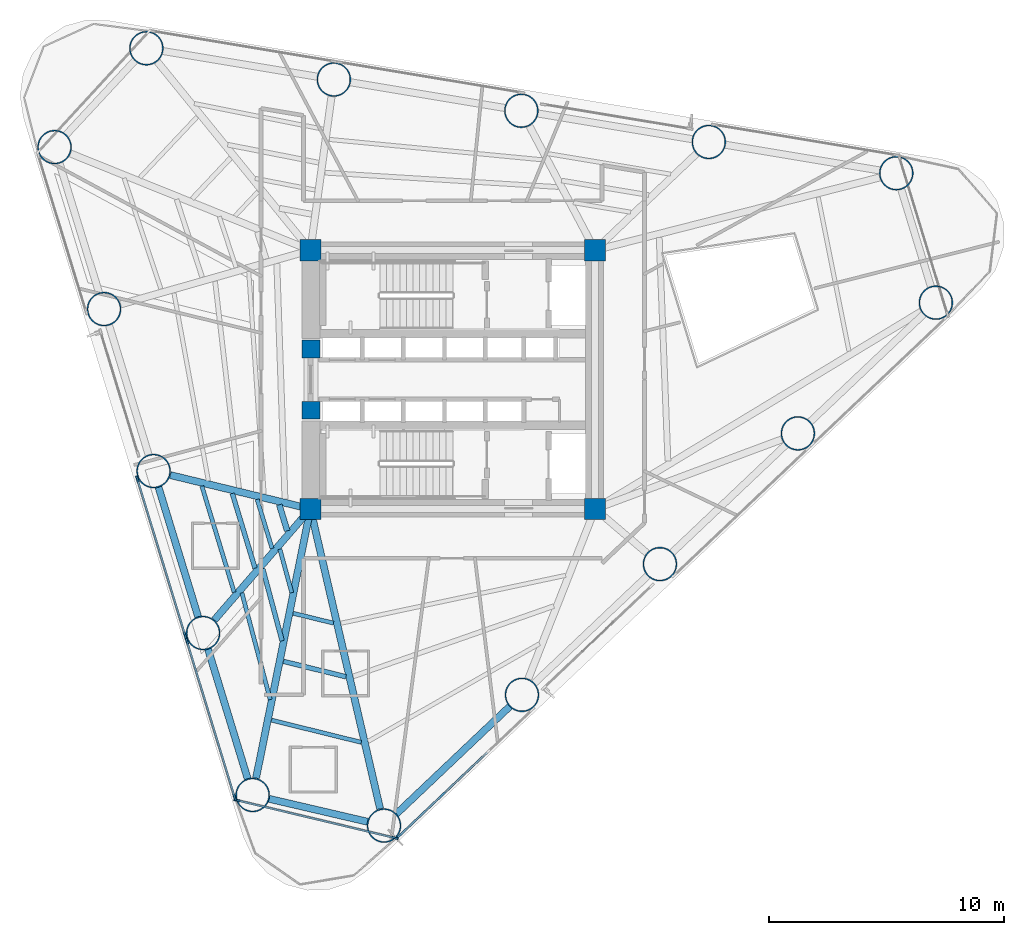
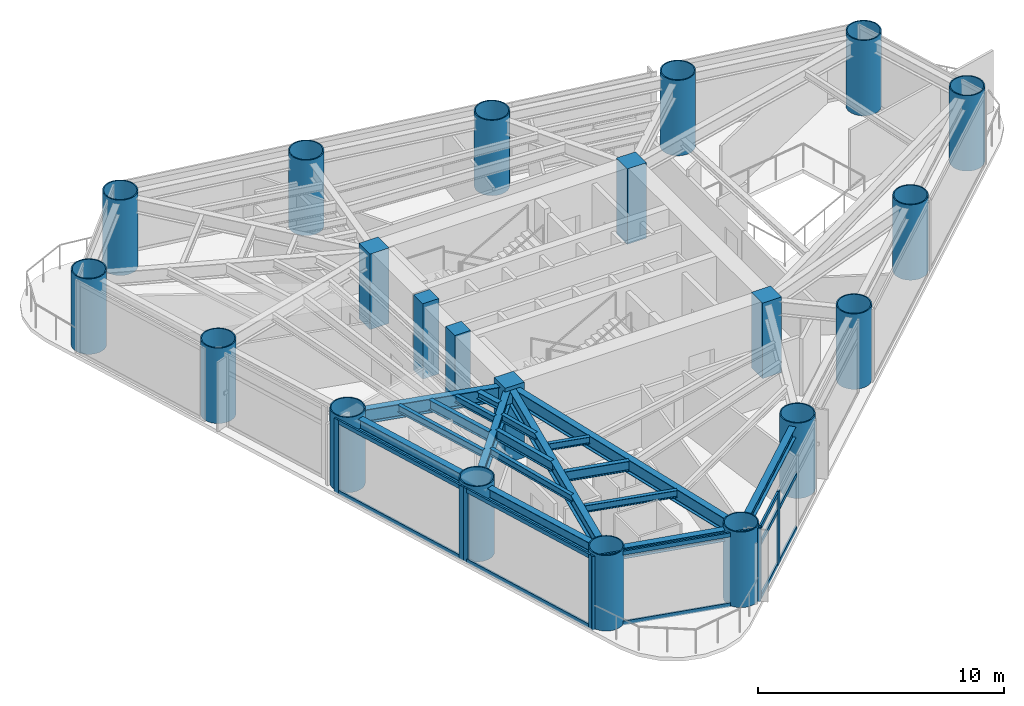
# One storey, part 1 of 10: 21 columns, 19 members, 18 beams, 4 elements without a shape of their own.
"""IFC4 building model written with IfcOpenShell, lengths in metres."""

from ifc_helpers import new_model, si_unit, direction, frame, origin, origin_2d, place, context, subcontext, project, spatial, rectangle, hollow_circle, i_section, extrude, source, transform, mapped, material, layer, layer_set, material_profile, profile_set, type_object, element, aggregate, save


model = new_model("IFC4")

# Units and contexts
model_context = context("Model", 3, precision=1e-05, world=origin(), true_north=direction((0.0, 1.0)))
body_context = subcontext(model_context, "Body", "Model", "MODEL_VIEW")
ifc_project = project(units=[si_unit("LENGTHUNIT", "METRE"), si_unit("AREAUNIT", "SQUARE_METRE"), si_unit("VOLUMEUNIT", "CUBIC_METRE"), si_unit("PLANEANGLEUNIT", "RADIAN"), si_unit("MASSUNIT", "GRAM", prefix="KILO")], contexts=[model_context])

# Site, building, storey
site_placement = place(None, origin())
site = spatial("IfcSite", under=ifc_project, at=site_placement, CompositionType="ELEMENT")
building_placement = place(site_placement, origin())
building = spatial("IfcBuilding", under=site, at=building_placement, Name="Yunling Apex Tower", CompositionType="ELEMENT")
storey_placement = place(building_placement, frame((0.0, 0.0, 112.39990234375)))
storey = spatial("IfcBuildingStorey", under=building, at=storey_placement, Name="L28", CompositionType="ELEMENT", Elevation=112.39990234375)

# Columns
ifc_material_1 = material(Name="Concrete C60", Category="concrete")
ifc_material_profile_1 = material_profile(ifc_material_1, rectangle(XDim=0.89990234375, YDim=0.89990234375, at=origin_2d()))
ifc_profile_set_1 = profile_set([ifc_material_profile_1], Name="Concrete C60")
column_type_1 = type_object("IfcColumnType", Name="PC-SRC-3", PredefinedType="COLUMN", material=ifc_profile_set_1)
shared_shape_1 = source(origin(), body_context, "Body", "SweptSolid", [
    extrude(rectangle(XDim=0.89990234375, YDim=0.89990234375, at=origin_2d()), origin(), (0.0, 0.0, 1.0), 3.75),
])
for number, where, z_axis, x_axis, name in (
    (1, (-6.050048828125, -5.5, 0.0), (0.0, 0.0, 1.0), (1.0, 0.0, 0.0), "L28 Core Spine Column CC-SW"),
    (2, (6.050048828125, -5.5, 0.0), (0.0, 0.0, 1.0), (1.0, 0.0, 0.0), "L28 Core Spine Column CC-SE"),
    (3, (6.050048828125, 5.5, 0.0), (0.0, 0.0, 1.0), (1.0, 0.0, 0.0), "L28 Core Spine Column CC-NE"),
    (4, (-6.050048828125, 5.5, 0.0), (0.0, 0.0, 1.0), (1.0, 0.0, 0.0), "L28 Core Spine Column CC-NW"),
):
    element("IfcColumn", number, at=place(storey_placement, frame(where, z_axis=z_axis, x_axis=x_axis)), inside=storey, type_object=column_type_1, Name=name, PredefinedType="COLUMN", context=body_context, shape_type="MappedRepresentation", body=[
        mapped(shared_shape_1, transform((0.0, 0.0, 0.0), scale=1.0)),
    ])
ifc_material_2 = material(Name="Concrete C50", Category="concrete")
ifc_material_profile_2 = material_profile(ifc_material_2, rectangle(XDim=0.75, YDim=0.75, at=origin_2d()))
ifc_profile_set_2 = profile_set([ifc_material_profile_2], Name="Concrete C50")
column_type_2 = type_object("IfcColumnType", Name="PC-SRC-4", PredefinedType="COLUMN", material=ifc_profile_set_2)
shared_shape_2 = source(origin(), body_context, "Body", "SweptSolid", [
    extrude(rectangle(XDim=0.75, YDim=0.75, at=origin_2d()), origin(), (0.0, 0.0, 1.0), 3.75),
])
for number, where, z_axis, x_axis, name in (
    (5, (-6.02490234375, -1.300048828125, 0.0), (0.0, 0.0, 1.0), (1.0, 0.0, 0.0), "L28 Core West Portal Jamb Column S"),
    (6, (-6.02490234375, 1.300048828125, 0.0), (0.0, 0.0, 1.0), (1.0, 0.0, 0.0), "L28 Core West Portal Jamb Column N"),
):
    element("IfcColumn", number, at=place(storey_placement, frame(where, z_axis=z_axis, x_axis=x_axis)), inside=storey, type_object=column_type_2, Name=name, PredefinedType="COLUMN", context=body_context, shape_type="MappedRepresentation", body=[
        mapped(shared_shape_2, transform((0.0, 0.0, 0.0), scale=1.0)),
    ])
ifc_material_3 = material(Name="Steel Q390GJC", Category="steel")
ifc_material_profile_3 = material_profile(ifc_material_3, hollow_circle(Radius=0.72509765625, WallThickness=0.050048828125, at=origin_2d()))
ifc_profile_set_3 = profile_set([ifc_material_profile_3], Name="Steel Q390GJC")
column_type_3 = type_object("IfcColumnType", Name="MC-CFST-2", PredefinedType="COLUMN", material=ifc_profile_set_3)
shared_shape_3 = source(origin(), body_context, "Body", "SweptSolid", [
    extrude(hollow_circle(Radius=0.72509765625, WallThickness=0.050048828125, at=origin_2d()), origin(), (0.0, 0.0, 1.0), 3.75),
])
for number, where, z_axis, x_axis, name in (
    (7, (-2.92138671875, -18.960205078125, 0.0), (0.0, 0.0, 1.0), (1.0, 0.0, 0.0), "L28 Perimeter CFST Mega-Column P01"),
    (8, (2.943359375, -13.40234375, 0.0), (0.0, 0.0, 1.0), (1.0, 0.0, 0.0), "L28 Perimeter CFST Mega-Column P02"),
    (9, (8.80810546875, -7.8447265625, 0.0), (0.0, 0.0, 1.0), (1.0, 0.0, 0.0), "L28 Perimeter CFST Mega-Column P03"),
    (10, (14.6728515625, -2.287109375, 0.0), (0.0, 0.0, 1.0), (1.0, 0.0, 0.0), "L28 Perimeter CFST Mega-Column P04"),
    (11, (20.53759765625, 3.2705078125, 0.0), (0.0, 0.0, 1.0), (1.0, 0.0, 0.0), "L28 Perimeter CFST Mega-Column P05"),
    (12, (18.855224609375, 8.77294921875, 0.0), (0.0, 0.0, 1.0), (1.0, 0.0, 0.0), "L28 Perimeter CFST Mega-Column P06"),
    (13, (10.88525390625, 10.10107421875, 0.0), (0.0, 0.0, 1.0), (1.0, 0.0, 0.0), "L28 Perimeter CFST Mega-Column P07"),
    (14, (2.915283203125, 11.428955078125, 0.0), (0.0, 0.0, 1.0), (1.0, 0.0, 0.0), "L28 Perimeter CFST Mega-Column P08"),
    (15, (-5.054443359375, 12.757080078125, 0.0), (0.0, 0.0, 1.0), (1.0, 0.0, 0.0), "L28 Perimeter CFST Mega-Column P09"),
    (16, (-13.0244140625, 14.0849609375, 0.0), (0.0, 0.0, 1.0), (1.0, 0.0, 0.0), "L28 Perimeter CFST Mega-Column P10"),
    (17, (-16.927490234375, 9.88330078125, 0.0), (0.0, 0.0, 1.0), (1.0, 0.0, 0.0), "L28 Perimeter CFST Mega-Column P11"),
    (18, (-14.822509765625, 2.99755859375, 0.0), (0.0, 0.0, 1.0), (1.0, 0.0, 0.0), "L28 Perimeter CFST Mega-Column P12"),
    (19, (-12.71728515625, -3.887939453125, 0.0), (0.0, 0.0, 1.0), (1.0, 0.0, 0.0), "L28 Perimeter CFST Mega-Column P13"),
    (20, (-10.612060546875, -10.773681640625, 0.0), (0.0, 0.0, 1.0), (1.0, 0.0, 0.0), "L28 Perimeter CFST Mega-Column P14"),
    (21, (-8.5068359375, -17.6591796875, 0.0), (0.0, 0.0, 1.0), (1.0, 0.0, 0.0), "L28 Perimeter CFST Mega-Column P15"),
):
    element("IfcColumn", number, at=place(storey_placement, frame(where, z_axis=z_axis, x_axis=x_axis)), inside=storey, type_object=column_type_3, Name=name, PredefinedType="COLUMN", context=body_context, shape_type="MappedRepresentation", body=[
        mapped(shared_shape_3, transform((0.0, 0.0, 0.0), scale=1.0)),
    ])

# Beams
ifc_material_4 = material(Name="Steel Q355B", Category="steel")
ifc_material_profile_4 = material_profile(ifc_material_4, i_section(OverallWidth=0.300048828125, OverallDepth=0.5400390625, WebThickness=0.011962890625, FlangeThickness=0.02001953125, FilletRadius=0.02392578125, at=origin_2d()))
ifc_profile_set_4 = profile_set([ifc_material_profile_4], Name="Steel Q355B")
beam_type_1 = type_object("IfcBeamType", Name="BP-SPN-1", PredefinedType="SPANDREL", material=ifc_profile_set_4)
shared_shape_4 = source(origin(), body_context, "Body", "SweptSolid", [
    extrude(i_section(OverallWidth=0.300048828125, OverallDepth=0.5400390625, WebThickness=0.011962890625, FlangeThickness=0.02001953125, FilletRadius=0.02392578125, at=origin_2d()), origin(), (0.0, 0.0, 1.0), 6.6416015625),
])
beam_1_placement = place(storey_placement, frame((-2.3994140625, -18.465576171875, 3.295166015625), z_axis=(0.725837728974, 0.68786596892, 0.0), x_axis=(-0.68786596892, 0.725837728974, 0.0)))
element("IfcBeam", 22, at=beam_1_placement, inside=storey, type_object=beam_type_1, Name="L28 Perimeter Spandrel Beam 1", PredefinedType="SPANDREL", context=body_context, shape_type="MappedRepresentation", body=[
    mapped(shared_shape_4, transform((0.0, 0.0, 0.0), scale=1.0)),
])
shared_shape_5 = source(origin(), body_context, "Body", "SweptSolid", [
    extrude(i_section(OverallWidth=0.300048828125, OverallDepth=0.5400390625, WebThickness=0.011962890625, FlangeThickness=0.02001953125, FilletRadius=0.02392578125, at=origin_2d()), origin(), (0.0, 0.0, 1.0), 5.76220703125),
])
for number, where, z_axis, x_axis, name in (
    (23, (-12.507080078125, -4.57568359375, 3.295166015625), (0.292385374143, -0.956300576695, 0.0), (0.956300576695, 0.292385374143, 0.0), "L28 Perimeter Spandrel Beam 13"),
    (24, (-10.40185546875, -11.461181640625, 3.295166015625), (0.292385374143, -0.956300576695, 0.0), (0.956300576695, 0.292385374143, 0.0), "L28 Perimeter Spandrel Beam 14"),
):
    element("IfcBeam", number, at=place(storey_placement, frame(where, z_axis=z_axis, x_axis=x_axis)), inside=storey, type_object=beam_type_1, Name=name, PredefinedType="SPANDREL", context=body_context, shape_type="MappedRepresentation", body=[
        mapped(shared_shape_5, transform((0.0, 0.0, 0.0), scale=1.0)),
    ])
shared_shape_6 = source(origin(), body_context, "Body", "SweptSolid", [
    extrude(i_section(OverallWidth=0.300048828125, OverallDepth=0.5400390625, WebThickness=0.011962890625, FlangeThickness=0.02001953125, FilletRadius=0.02392578125, at=origin_2d()), origin(), (0.0, 0.0, 1.0), 4.297119140625),
])
beam_2_placement = place(storey_placement, frame((-7.806640625, -17.822509765625, 3.295166015625), z_axis=(0.973939184954, -0.226809312002, 0.0), x_axis=(0.226809312002, 0.973939184954, 0.0)))
element("IfcBeam", 25, at=beam_2_placement, inside=storey, type_object=beam_type_1, Name="L28 Perimeter Spandrel Beam 15", PredefinedType="SPANDREL", context=body_context, shape_type="MappedRepresentation", body=[
    mapped(shared_shape_6, transform((0.0, 0.0, 0.0), scale=1.0)),
])
ifc_material_profile_5 = material_profile(ifc_material_4, i_section(OverallWidth=0.300048828125, OverallDepth=0.699951171875, WebThickness=0.012939453125, FlangeThickness=0.02392578125, FilletRadius=0.02587890625, at=origin_2d()))
ifc_profile_set_5 = profile_set([ifc_material_profile_5], Name="Steel Q355B")
beam_type_2 = type_object("IfcBeamType", Name="BG-PRI-3", PredefinedType="USERDEFINED", material=ifc_profile_set_5)
shared_shape_7 = source(origin(), body_context, "Body", "SweptSolid", [
    extrude(i_section(OverallWidth=0.300048828125, OverallDepth=0.699951171875, WebThickness=0.012939453125, FlangeThickness=0.02392578125, FilletRadius=0.02587890625, at=origin_2d()), origin(), (0.0, 0.0, 1.0), 13.005859375),
])
beam_3_placement = place(storey_placement, frame((-3.08740234375, -18.24609375, 3.215087890625), z_axis=(-0.226402915749, 0.974033736449, 0.0), x_axis=(-0.974033736449, -0.226402915749, 0.0)))
element("IfcBeam", 26, at=beam_3_placement, inside=storey, type_object=beam_type_2, Name="L28 Radial Primary Girder R01", ObjectType="GIRDER", PredefinedType="USERDEFINED", context=body_context, shape_type="MappedRepresentation", body=[
    mapped(shared_shape_7, transform((0.0, 0.0, 0.0), scale=1.0)),
])
shared_shape_8 = source(origin(), body_context, "Body", "SweptSolid", [
    extrude(i_section(OverallWidth=0.300048828125, OverallDepth=0.699951171875, WebThickness=0.012939453125, FlangeThickness=0.02392578125, FilletRadius=0.02587890625, at=origin_2d()), origin(), (0.0, 0.0, 1.0), 6.046630859375),
])
beam_4_placement = place(storey_placement, frame((-12.0048828125, -4.060302734375, 3.215087890625), z_axis=(0.971996717199, -0.234994429199, 0.0), x_axis=(0.234994429199, 0.971996717199, 0.0)))
element("IfcBeam", 27, at=beam_4_placement, inside=storey, type_object=beam_type_2, Name="L28 Radial Primary Girder R13", ObjectType="GIRDER", PredefinedType="USERDEFINED", context=body_context, shape_type="MappedRepresentation", body=[
    mapped(shared_shape_8, transform((0.0, 0.0, 0.0), scale=1.0)),
])
shared_shape_9 = source(origin(), body_context, "Body", "SweptSolid", [
    extrude(i_section(OverallWidth=0.300048828125, OverallDepth=0.699951171875, WebThickness=0.012939453125, FlangeThickness=0.02392578125, FilletRadius=0.02587890625, at=origin_2d()), origin(), (0.0, 0.0, 1.0), 6.16015625),
])
beam_5_placement = place(storey_placement, frame((-10.132568359375, -10.21923828125, 3.215087890625), z_axis=(0.654257326822, 0.756272008142, 0.0), x_axis=(-0.756272008142, 0.654257326822, 0.0)))
element("IfcBeam", 28, at=beam_5_placement, inside=storey, type_object=beam_type_2, Name="L28 Radial Primary Girder R14", ObjectType="GIRDER", PredefinedType="USERDEFINED", context=body_context, shape_type="MappedRepresentation", body=[
    mapped(shared_shape_9, transform((0.0, 0.0, 0.0), scale=1.0)),
])
shared_shape_10 = source(origin(), body_context, "Body", "SweptSolid", [
    extrude(i_section(OverallWidth=0.300048828125, OverallDepth=0.699951171875, WebThickness=0.012939453125, FlangeThickness=0.02392578125, FilletRadius=0.02587890625, at=origin_2d()), origin(), (0.0, 0.0, 1.0), 11.59228515625),
])
beam_6_placement = place(storey_placement, frame((-8.36181640625, -16.94091796875, 3.215087890625), z_axis=(0.198055775124, 0.980190751813, 0.0), x_axis=(-0.980190751813, 0.198055775124, 0.0)))
element("IfcBeam", 29, at=beam_6_placement, inside=storey, type_object=beam_type_2, Name="L28 Radial Primary Girder R15", ObjectType="GIRDER", PredefinedType="USERDEFINED", context=body_context, shape_type="MappedRepresentation", body=[
    mapped(shared_shape_10, transform((0.0, 0.0, 0.0), scale=1.0)),
])
ifc_material_profile_6 = material_profile(ifc_material_4, i_section(OverallWidth=0.199951171875, OverallDepth=0.5, WebThickness=0.010009765625, FlangeThickness=0.01611328125, FilletRadius=0.02001953125, at=origin_2d()))
ifc_profile_set_6 = profile_set([ifc_material_profile_6], Name="Steel Q355B")
beam_type_3 = type_object("IfcBeamType", Name="BS-SEC-2", PredefinedType="BEAM", material=ifc_profile_set_6)
shared_shape_11 = source(origin(), body_context, "Body", "SweptSolid", [
    extrude(i_section(OverallWidth=0.199951171875, OverallDepth=0.5, WebThickness=0.010009765625, FlangeThickness=0.01611328125, FilletRadius=0.02001953125, at=origin_2d()), origin(), (0.0, 0.0, 1.0), 3.321533203125),
])
beam_7_placement = place(storey_placement, frame((-9.372314453125, -4.838623046875, 3.315185546875), z_axis=(0.291000743066, -0.956722826912, 0.0), x_axis=(0.956722826912, 0.291000743066, 0.0)))
element("IfcBeam", 30, at=beam_7_placement, inside=storey, type_object=beam_type_3, Name="L28 Composite Floor Beam BS-13", PredefinedType="BEAM", context=body_context, shape_type="MappedRepresentation", body=[
    mapped(shared_shape_11, transform((0.0, 0.0, 0.0), scale=1.0)),
])
ifc_material_profile_7 = material_profile(ifc_material_4, i_section(OverallWidth=0.175048828125, OverallDepth=0.35009765625, WebThickness=0.007080078125, FlangeThickness=0.010986328125, FilletRadius=0.013916015625, at=origin_2d()))
ifc_profile_set_7 = profile_set([ifc_material_profile_7], Name="Steel Q355B")
beam_type_4 = type_object("IfcBeamType", Name="BJ-JST-1", PredefinedType="JOIST", material=ifc_profile_set_7)
shared_shape_12 = source(origin(), body_context, "Body", "SweptSolid", [
    extrude(i_section(OverallWidth=0.175048828125, OverallDepth=0.35009765625, WebThickness=0.007080078125, FlangeThickness=0.010986328125, FilletRadius=0.013916015625, at=origin_2d()), origin(), (0.0, 0.0, 1.0), 4.719482421875),
])
beam_8_placement = place(storey_placement, frame((-10.665283203125, -4.52587890625, 3.39013671875), z_axis=(0.290881649014, -0.95675904295, 0.0), x_axis=(0.95675904295, 0.290881649014, 0.0)))
element("IfcBeam", 31, at=beam_8_placement, inside=storey, type_object=beam_type_4, Name="L28 Composite Floor Joist BJ1-13", PredefinedType="JOIST", context=body_context, shape_type="MappedRepresentation", body=[
    mapped(shared_shape_12, transform((0.0, 0.0, 0.0), scale=1.0)),
])
shared_shape_13 = source(origin(), body_context, "Body", "SweptSolid", [
    extrude(i_section(OverallWidth=0.175048828125, OverallDepth=0.35009765625, WebThickness=0.007080078125, FlangeThickness=0.010986328125, FilletRadius=0.013916015625, at=origin_2d()), origin(), (0.0, 0.0, 1.0), 2.177734375),
])
beam_9_placement = place(storey_placement, frame((-8.314453125, -5.09423828125, 3.39013671875), z_axis=(0.291130389824, -0.956683383425, 0.0), x_axis=(0.956683383425, 0.291130389824, 0.0)))
element("IfcBeam", 32, at=beam_9_placement, inside=storey, type_object=beam_type_4, Name="L28 Composite Floor Joist BJ3-13", PredefinedType="JOIST", context=body_context, shape_type="MappedRepresentation", body=[
    mapped(shared_shape_13, transform((0.0, 0.0, 0.0), scale=1.0)),
])
ifc_material_profile_8 = material_profile(ifc_material_4, i_section(OverallWidth=0.25, OverallDepth=0.340087890625, WebThickness=0.009033203125, FlangeThickness=0.013916015625, FilletRadius=0.01806640625, at=origin_2d()))
ifc_profile_set_8 = profile_set([ifc_material_profile_8], Name="Steel Q355B")
beam_type_5 = type_object("IfcBeamType", Name="BJ-JST-2", PredefinedType="JOIST", material=ifc_profile_set_8)
shared_shape_14 = source(origin(), body_context, "Body", "SweptSolid", [
    extrude(i_section(OverallWidth=0.25, OverallDepth=0.340087890625, WebThickness=0.009033203125, FlangeThickness=0.013916015625, FilletRadius=0.01806640625, at=origin_2d()), origin(), (0.0, 0.0, 1.0), 1.160888671875),
])
beam_10_placement = place(storey_placement, frame((-7.3740234375, -5.32177734375, 3.39501953125), z_axis=(0.291454472577, -0.956584701119, 0.0), x_axis=(0.956584701119, 0.291454472577, 0.0)))
element("IfcBeam", 33, at=beam_10_placement, inside=storey, type_object=beam_type_5, Name="L28 Composite Floor Joist BJ2-13", PredefinedType="JOIST", context=body_context, shape_type="MappedRepresentation", body=[
    mapped(shared_shape_14, transform((0.0, 0.0, 0.0), scale=1.0)),
])
shared_shape_15 = source(origin(), body_context, "Body", "SweptSolid", [
    extrude(i_section(OverallWidth=0.199951171875, OverallDepth=0.5, WebThickness=0.010009765625, FlangeThickness=0.01611328125, FilletRadius=0.02001953125, at=origin_2d()), origin(), (0.0, 0.0, 1.0), 3.168701171875),
])
beam_11_placement = place(storey_placement, frame((-8.075927734375, -8.04443359375, 3.315185546875), z_axis=(0.259033901524, -0.965868230071, 0.0), x_axis=(0.965868230071, 0.259033901524, 0.0)))
element("IfcBeam", 34, at=beam_11_placement, inside=storey, type_object=beam_type_3, Name="L28 Composite Floor Beam BS-14", PredefinedType="BEAM", context=body_context, shape_type="MappedRepresentation", body=[
    mapped(shared_shape_15, transform((0.0, 0.0, 0.0), scale=1.0)),
])
shared_shape_16 = source(origin(), body_context, "Body", "SweptSolid", [
    extrude(i_section(OverallWidth=0.175048828125, OverallDepth=0.35009765625, WebThickness=0.007080078125, FlangeThickness=0.010986328125, FilletRadius=0.013916015625, at=origin_2d()), origin(), (0.0, 0.0, 1.0), 4.69189453125),
])
beam_12_placement = place(storey_placement, frame((-8.962890625, -9.069580078125, 3.39013671875), z_axis=(0.256370213066, -0.966578664079, 0.0), x_axis=(0.966578664079, 0.256370213066, 0.0)))
element("IfcBeam", 35, at=beam_12_placement, inside=storey, type_object=beam_type_4, Name="L28 Composite Floor Joist BJ1-14", PredefinedType="JOIST", context=body_context, shape_type="MappedRepresentation", body=[
    mapped(shared_shape_16, transform((0.0, 0.0, 0.0), scale=1.0)),
])
shared_shape_17 = source(origin(), body_context, "Body", "SweptSolid", [
    extrude(i_section(OverallWidth=0.175048828125, OverallDepth=0.35009765625, WebThickness=0.007080078125, FlangeThickness=0.010986328125, FilletRadius=0.013916015625, at=origin_2d()), origin(), (0.0, 0.0, 1.0), 1.92236328125),
])
beam_13_placement = place(storey_placement, frame((-7.349853515625, -7.205810546875, 3.39013671875), z_axis=(0.263783616245, -0.964581880299, 0.0), x_axis=(0.964581880299, 0.263783616245, 0.0)))
element("IfcBeam", 36, at=beam_13_placement, inside=storey, type_object=beam_type_4, Name="L28 Composite Floor Joist BJ3-14", PredefinedType="JOIST", context=body_context, shape_type="MappedRepresentation", body=[
    mapped(shared_shape_17, transform((0.0, 0.0, 0.0), scale=1.0)),
])
shared_shape_18 = source(origin(), body_context, "Body", "SweptSolid", [
    extrude(i_section(OverallWidth=0.199951171875, OverallDepth=0.5, WebThickness=0.010009765625, FlangeThickness=0.01611328125, FilletRadius=0.02001953125, at=origin_2d()), origin(), (0.0, 0.0, 1.0), 2.737060546875),
])
beam_14_placement = place(storey_placement, frame((-7.196044921875, -11.9794921875, 3.315185546875), z_axis=(0.971007234619, -0.239050100016, 0.0), x_axis=(0.239050100016, 0.971007234619, 0.0)))
element("IfcBeam", 37, at=beam_14_placement, inside=storey, type_object=beam_type_3, Name="L28 Composite Floor Beam BS-15", PredefinedType="BEAM", context=body_context, shape_type="MappedRepresentation", body=[
    mapped(shared_shape_18, transform((0.0, 0.0, 0.0), scale=1.0)),
])
shared_shape_19 = source(origin(), body_context, "Body", "SweptSolid", [
    extrude(i_section(OverallWidth=0.175048828125, OverallDepth=0.35009765625, WebThickness=0.007080078125, FlangeThickness=0.010986328125, FilletRadius=0.013916015625, at=origin_2d()), origin(), (0.0, 0.0, 1.0), 3.925537109375),
])
beam_15_placement = place(storey_placement, frame((-7.701416015625, -14.4794921875, 3.39013671875), z_axis=(0.970833614746, -0.239754233494, 0.0), x_axis=(0.239754233494, 0.970833614746, 0.0)))
element("IfcBeam", 38, at=beam_15_placement, inside=storey, type_object=beam_type_4, Name="L28 Composite Floor Joist BJ1-15", PredefinedType="JOIST", context=body_context, shape_type="MappedRepresentation", body=[
    mapped(shared_shape_19, transform((0.0, 0.0, 0.0), scale=1.0)),
])
shared_shape_20 = source(origin(), body_context, "Body", "SweptSolid", [
    extrude(i_section(OverallWidth=0.175048828125, OverallDepth=0.35009765625, WebThickness=0.007080078125, FlangeThickness=0.010986328125, FilletRadius=0.013916015625, at=origin_2d()), origin(), (0.0, 0.0, 1.0), 1.764892578125),
])
beam_16_placement = place(storey_placement, frame((-6.78271484375, -9.93408203125, 3.39013671875), z_axis=(0.971318830932, -0.237780841694, 0.0), x_axis=(0.237780841694, 0.971318830932, 0.0)))
element("IfcBeam", 39, at=beam_16_placement, inside=storey, type_object=beam_type_4, Name="L28 Composite Floor Joist BJ3-15", PredefinedType="JOIST", context=body_context, shape_type="MappedRepresentation", body=[
    mapped(shared_shape_20, transform((0.0, 0.0, 0.0), scale=1.0)),
])

# Curtain wall, members
ifc_material_5 = material(Name="Bronze anodised aluminium", Category="aluminium")
ifc_layer = layer(ifc_material_5, 0.260009765625)
ifc_layer_set = layer_set([ifc_layer], Name="Bronze anodised aluminium")
curtain_wall_type = type_object("IfcCurtainWallType", Name="CW-SYS-2", PredefinedType="NOTDEFINED", material=ifc_layer_set)
curtain_wall_1_placement = place(storey_placement, origin())
curtain_wall_1 = element("IfcCurtainWall", 40, at=curtain_wall_1_placement, inside=storey, type_object=curtain_wall_type, Name="CW-L28-F1-B1", PredefinedType="NOTDEFINED")
ifc_material_profile_9 = material_profile(ifc_material_5, rectangle(XDim=0.0849609375, YDim=0.260009765625, at=origin_2d()))
ifc_profile_set_9 = profile_set([ifc_material_profile_9], Name="Bronze anodised aluminium")
member_type_1 = type_object("IfcMemberType", Name="CW-MUL-2", PredefinedType="MULLION", material=ifc_profile_set_9)
shared_shape_21 = source(origin(), body_context, "Body", "SweptSolid", [
    extrude(rectangle(XDim=0.0849609375, YDim=0.260009765625, at=origin_2d()), origin(), (0.0, 0.0, 1.0), 3.664794921875),
])
member_1_placement = place(storey_placement, frame((-2.3095703125, -19.427490234375, -0.0498046875), z_axis=(0.0, 0.0, 1.0), x_axis=(-0.687861264918, 0.72584218686, 0.0)))
member_1 = element("IfcMember", 41, at=member_1_placement, type_object=member_type_1, Name="CW-SYS-2 mullion 1", PredefinedType="MULLION", context=body_context, shape_type="MappedRepresentation", body=[
    mapped(shared_shape_21, transform((0.0, 0.0, 0.0), scale=1.0)),
])
member_2_placement = place(storey_placement, frame((-0.42431640625, -17.640869140625, -0.0498046875), z_axis=(0.0, 0.0, 1.0), x_axis=(-0.687861264918, 0.72584218686, 0.0)))
member_2 = element("IfcMember", 42, at=member_2_placement, type_object=member_type_1, Name="CW-SYS-2 mullion 2", PredefinedType="MULLION", context=body_context, shape_type="MappedRepresentation", body=[
    mapped(shared_shape_21, transform((0.0, 0.0, 0.0), scale=1.0)),
])

curtain_wall_2_placement = place(storey_placement, origin())
curtain_wall_2 = element("IfcCurtainWall", 43, at=curtain_wall_2_placement, inside=storey, type_object=curtain_wall_type, Name="CW-L28-F3-B3", PredefinedType="NOTDEFINED")
member_3_placement = place(storey_placement, frame((-13.408203125, -4.227294921875, -0.0498046875), z_axis=(0.0, 0.0, 1.0), x_axis=(0.956304476342, 0.292372619321, 0.0)))
member_3 = element("IfcMember", 44, at=member_3_placement, type_object=member_type_1, Name="CW-SYS-2 mullion 1", PredefinedType="MULLION", context=body_context, shape_type="MappedRepresentation", body=[
    mapped(shared_shape_21, transform((0.0, 0.0, 0.0), scale=1.0)),
])
member_4_placement = place(storey_placement, frame((-11.374755859375, -10.878662109375, -0.0498046875), z_axis=(0.0, 0.0, 1.0), x_axis=(0.956304476342, 0.292372619321, 0.0)))
member_4 = element("IfcMember", 45, at=member_4_placement, type_object=member_type_1, Name="CW-SYS-2 mullion 2", PredefinedType="MULLION", context=body_context, shape_type="MappedRepresentation", body=[
    mapped(shared_shape_21, transform((0.0, 0.0, 0.0), scale=1.0)),
])

curtain_wall_3_placement = place(storey_placement, origin())
curtain_wall_3 = element("IfcCurtainWall", 46, at=curtain_wall_3_placement, inside=storey, type_object=curtain_wall_type, Name="CW-L28-F3-B4", PredefinedType="NOTDEFINED")
member_5_placement = place(storey_placement, frame((-11.302978515625, -11.113037109375, -0.0498046875), z_axis=(0.0, 0.0, 1.0), x_axis=(0.956304476342, 0.292372619321, 0.0)))
member_5 = element("IfcMember", 47, at=member_5_placement, type_object=member_type_1, Name="CW-SYS-2 mullion 1", PredefinedType="MULLION", context=body_context, shape_type="MappedRepresentation", body=[
    mapped(shared_shape_21, transform((0.0, 0.0, 0.0), scale=1.0)),
])
member_6_placement = place(storey_placement, frame((-9.26953125, -17.764404296875, -0.0498046875), z_axis=(0.0, 0.0, 1.0), x_axis=(0.956304476342, 0.292372619321, 0.0)))
member_6 = element("IfcMember", 48, at=member_6_placement, type_object=member_type_1, Name="CW-SYS-2 mullion 2", PredefinedType="MULLION", context=body_context, shape_type="MappedRepresentation", body=[
    mapped(shared_shape_21, transform((0.0, 0.0, 0.0), scale=1.0)),
])

curtain_wall_4_placement = place(storey_placement, origin())
curtain_wall_4 = element("IfcCurtainWall", 49, at=curtain_wall_4_placement, inside=storey, type_object=curtain_wall_type, Name="CW-L28-CRN3", PredefinedType="NOTDEFINED")
member_7_placement = place(storey_placement, frame((-9.17333984375, -17.885498046875, -0.0498046875), z_axis=(0.0, 0.0, 1.0), x_axis=(0.23189504865, 0.972740811528, 0.0)))
member_7 = element("IfcMember", 50, at=member_7_placement, type_object=member_type_1, Name="CW-SYS-2 mullion 1", PredefinedType="MULLION", context=body_context, shape_type="MappedRepresentation", body=[
    mapped(shared_shape_21, transform((0.0, 0.0, 0.0), scale=1.0)),
])
member_8_placement = place(storey_placement, frame((-2.453857421875, -19.487548828125, -0.0498046875), z_axis=(0.0, 0.0, 1.0), x_axis=(0.23189504865, 0.972740811528, 0.0)))
member_8 = element("IfcMember", 51, at=member_8_placement, type_object=member_type_1, Name="CW-SYS-2 mullion 2", PredefinedType="MULLION", context=body_context, shape_type="MappedRepresentation", body=[
    mapped(shared_shape_21, transform((0.0, 0.0, 0.0), scale=1.0)),
])

# Member
ifc_material_profile_10 = material_profile(ifc_material_5, rectangle(XDim=0.0849609375, YDim=0.199951171875, at=origin_2d()))
ifc_profile_set_10 = profile_set([ifc_material_profile_10], Name="Bronze anodised aluminium")
member_type_2 = type_object("IfcMemberType", Name="CW-TRN-2", PredefinedType="USERDEFINED", material=ifc_profile_set_10)
shared_shape_22 = source(origin(), body_context, "Body", "SweptSolid", [
    extrude(rectangle(XDim=0.0849609375, YDim=0.199951171875, at=origin_2d()), origin(), (0.0, 0.0, 1.0), 2.52099609375),
])
member_9_placement = place(storey_placement, frame((-2.281982421875, -19.4013671875, 0.04248046875), z_axis=(0.725833069148, 0.687870885945, 0.0), x_axis=(-0.687870885945, 0.725833069148, 0.0)))
member_9 = element("IfcMember", 52, at=member_9_placement, type_object=member_type_2, Name="CW-SYS-2 transom 1.1", ObjectType="TRANSOM", PredefinedType="USERDEFINED", context=body_context, shape_type="MappedRepresentation", body=[
    mapped(shared_shape_22, transform((0.0, 0.0, 0.0), scale=1.0)),
])

member_10_placement = place(storey_placement, frame((-2.281982421875, -19.4013671875, 2.715087890625), z_axis=(0.725833069148, 0.687870885945, 0.0), x_axis=(-0.687870885945, 0.725833069148, 0.0)))
member_10 = element("IfcMember", 53, at=member_10_placement, type_object=member_type_2, Name="CW-SYS-2 transom 1.2", ObjectType="TRANSOM", PredefinedType="USERDEFINED", context=body_context, shape_type="MappedRepresentation", body=[
    mapped(shared_shape_22, transform((0.0, 0.0, 0.0), scale=1.0)),
])

member_11_placement = place(storey_placement, frame((-2.281982421875, -19.4013671875, 3.522705078125), z_axis=(0.725833069148, 0.687870885945, 0.0), x_axis=(-0.687870885945, 0.725833069148, 0.0)))
member_11 = element("IfcMember", 54, at=member_11_placement, type_object=member_type_2, Name="CW-SYS-2 transom 1.3", ObjectType="TRANSOM", PredefinedType="USERDEFINED", context=body_context, shape_type="MappedRepresentation", body=[
    mapped(shared_shape_22, transform((0.0, 0.0, 0.0), scale=1.0)),
])

shared_shape_23 = source(origin(), body_context, "Body", "SweptSolid", [
    extrude(rectangle(XDim=0.0849609375, YDim=0.199951171875, at=origin_2d()), origin(), (0.0, 0.0, 1.0), 2.563232421875),
])
member_12_placement = place(storey_placement, frame((-0.396484375, -17.614501953125, 0.04248046875), z_axis=(0.725852566003, 0.687850312515, 0.0), x_axis=(-0.687850312515, 0.725852566003, 0.0)))
member_12 = element("IfcMember", 55, at=member_12_placement, type_object=member_type_2, Name="CW-SYS-2 transom 2.1", ObjectType="TRANSOM", PredefinedType="USERDEFINED", context=body_context, shape_type="MappedRepresentation", body=[
    mapped(shared_shape_23, transform((0.0, 0.0, 0.0), scale=1.0)),
])

member_13_placement = place(storey_placement, frame((-0.396484375, -17.614501953125, 2.715087890625), z_axis=(0.725852566003, 0.687850312515, 0.0), x_axis=(-0.687850312515, 0.725852566003, 0.0)))
member_13 = element("IfcMember", 56, at=member_13_placement, type_object=member_type_2, Name="CW-SYS-2 transom 2.2", ObjectType="TRANSOM", PredefinedType="USERDEFINED", context=body_context, shape_type="MappedRepresentation", body=[
    mapped(shared_shape_23, transform((0.0, 0.0, 0.0), scale=1.0)),
])

aggregate(curtain_wall_1, [member_1, member_2, member_9, member_10, member_11, member_12, member_13])

shared_shape_24 = source(origin(), body_context, "Body", "SweptSolid", [
    extrude(rectangle(XDim=0.0849609375, YDim=0.199951171875, at=origin_2d()), origin(), (0.0, 0.0, 1.0), 6.831298828125),
])
member_14_placement = place(storey_placement, frame((-9.135986328125, -17.89453125, 0.04248046875), z_axis=(0.972745593735, -0.231874987587, 0.0), x_axis=(0.231874987587, 0.972745593735, 0.0)))
member_14 = element("IfcMember", 57, at=member_14_placement, type_object=member_type_2, Name="CW-SYS-2 transom 1.1", ObjectType="TRANSOM", PredefinedType="USERDEFINED", context=body_context, shape_type="MappedRepresentation", body=[
    mapped(shared_shape_24, transform((0.0, 0.0, 0.0), scale=1.0)),
])

member_15_placement = place(storey_placement, frame((-9.135986328125, -17.89453125, 3.522705078125), z_axis=(0.972745593735, -0.231874987587, 0.0), x_axis=(0.231874987587, 0.972745593735, 0.0)))
member_15 = element("IfcMember", 58, at=member_15_placement, type_object=member_type_2, Name="CW-SYS-2 transom 1.2", ObjectType="TRANSOM", PredefinedType="USERDEFINED", context=body_context, shape_type="MappedRepresentation", body=[
    mapped(shared_shape_24, transform((0.0, 0.0, 0.0), scale=1.0)),
])

aggregate(curtain_wall_4, [member_7, member_8, member_14, member_15])

shared_shape_25 = source(origin(), body_context, "Body", "SweptSolid", [
    extrude(rectangle(XDim=0.0849609375, YDim=0.199951171875, at=origin_2d()), origin(), (0.0, 0.0, 1.0), 6.878662109375),
])
member_16_placement = place(storey_placement, frame((-11.2919921875, -11.149658203125, 0.04248046875), z_axis=(0.29238444517, -0.956300860725, 0.0), x_axis=(0.956300860725, 0.29238444517, 0.0)))
member_16 = element("IfcMember", 59, at=member_16_placement, type_object=member_type_2, Name="CW-SYS-2 transom 1.1", ObjectType="TRANSOM", PredefinedType="USERDEFINED", context=body_context, shape_type="MappedRepresentation", body=[
    mapped(shared_shape_25, transform((0.0, 0.0, 0.0), scale=1.0)),
])

member_17_placement = place(storey_placement, frame((-11.2919921875, -11.149658203125, 3.522705078125), z_axis=(0.29238444517, -0.956300860725, 0.0), x_axis=(0.956300860725, 0.29238444517, 0.0)))
member_17 = element("IfcMember", 60, at=member_17_placement, type_object=member_type_2, Name="CW-SYS-2 transom 1.2", ObjectType="TRANSOM", PredefinedType="USERDEFINED", context=body_context, shape_type="MappedRepresentation", body=[
    mapped(shared_shape_25, transform((0.0, 0.0, 0.0), scale=1.0)),
])

aggregate(curtain_wall_3, [member_5, member_6, member_16, member_17])

shared_shape_26 = source(origin(), body_context, "Body", "SweptSolid", [
    extrude(rectangle(XDim=0.0849609375, YDim=0.199951171875, at=origin_2d()), origin(), (0.0, 0.0, 1.0), 6.87890625),
])
member_18_placement = place(storey_placement, frame((-13.39697265625, -4.263916015625, 0.04248046875), z_axis=(0.29234206402, -0.956313817533, 0.0), x_axis=(0.956313817533, 0.29234206402, 0.0)))
member_18 = element("IfcMember", 61, at=member_18_placement, type_object=member_type_2, Name="CW-SYS-2 transom 1.1", ObjectType="TRANSOM", PredefinedType="USERDEFINED", context=body_context, shape_type="MappedRepresentation", body=[
    mapped(shared_shape_26, transform((0.0, 0.0, 0.0), scale=1.0)),
])

member_19_placement = place(storey_placement, frame((-13.39697265625, -4.263916015625, 3.522705078125), z_axis=(0.29234206402, -0.956313817533, 0.0), x_axis=(0.956313817533, 0.29234206402, 0.0)))
member_19 = element("IfcMember", 62, at=member_19_placement, type_object=member_type_2, Name="CW-SYS-2 transom 1.2", ObjectType="TRANSOM", PredefinedType="USERDEFINED", context=body_context, shape_type="MappedRepresentation", body=[
    mapped(shared_shape_26, transform((0.0, 0.0, 0.0), scale=1.0)),
])

aggregate(curtain_wall_2, [member_3, member_4, member_18, member_19])

save(model, "model.ifc")
